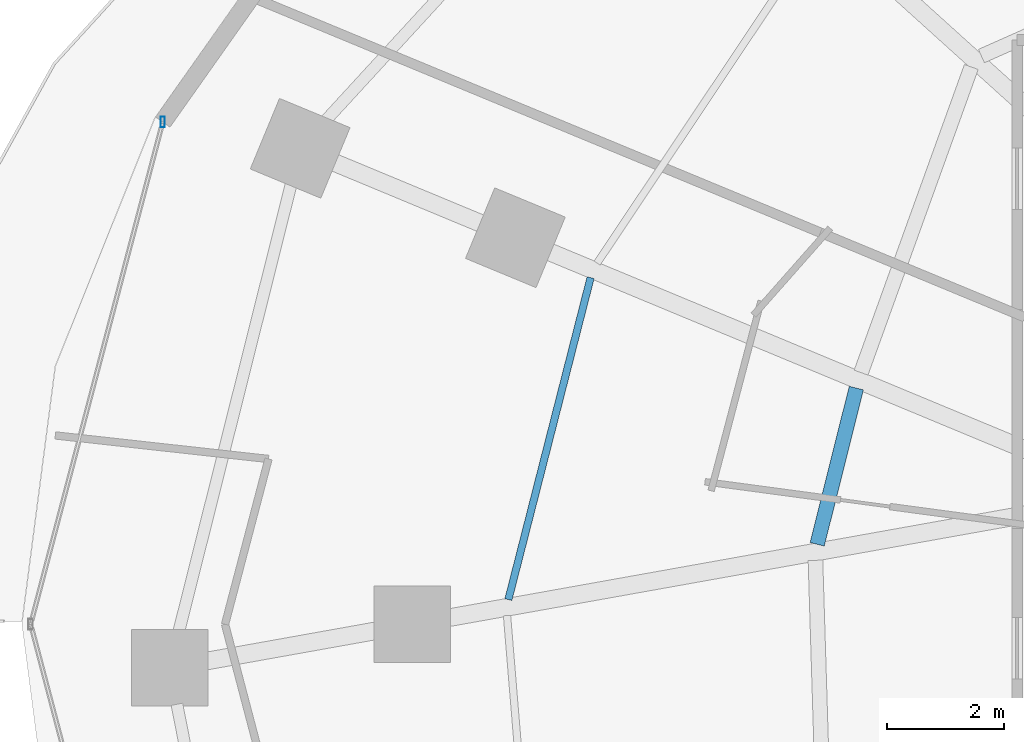
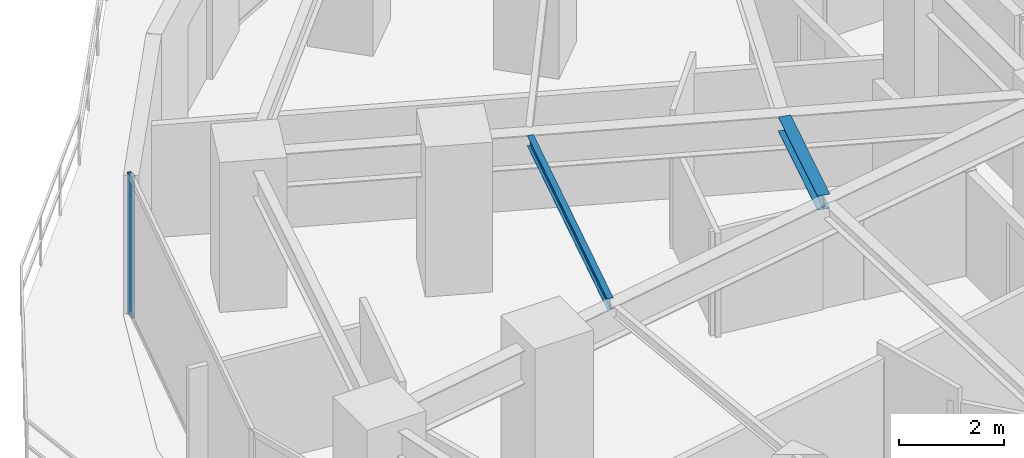
# One storey, part 10 of 35: 2 beams, 1 member, 1 element without a shape of its own.
"""IFC4 building model written with IfcOpenShell, lengths in metres."""

from ifc_helpers import new_model, si_unit, direction, frame, origin, origin_2d, place, context, subcontext, project, spatial, hollow_rectangle, i_section, extrude, material, material_profile, profile_set, type_object, element, aggregate, save


model = new_model("IFC4")

# Units and contexts
model_context = context("Model", 3, precision=1e-05, world=origin(), true_north=direction((0.0, 1.0)))
body_context = subcontext(model_context, "Body", "Model", "MODEL_VIEW")
ifc_project = project(units=[si_unit("LENGTHUNIT", "METRE"), si_unit("AREAUNIT", "SQUARE_METRE"), si_unit("VOLUMEUNIT", "CUBIC_METRE"), si_unit("PLANEANGLEUNIT", "RADIAN"), si_unit("MASSUNIT", "GRAM", prefix="KILO")], contexts=[model_context])

# Site, building, storey
site_placement = place(None, origin())
site = spatial("IfcSite", under=ifc_project, at=site_placement, CompositionType="ELEMENT")
building_placement = place(site_placement, origin())
building = spatial("IfcBuilding", under=site, at=building_placement, Name="Vorneva Point Tower", CompositionType="ELEMENT")
storey_placement = place(building_placement, frame((0.0, 0.0, 45.0)))
storey = spatial("IfcBuildingStorey", under=building, at=storey_placement, Name="L11", CompositionType="ELEMENT", Elevation=45.0)

# Beams
ifc_material_1 = material(Name="Steel S355", Category="steel")
ifc_material_profile_1 = material_profile(ifc_material_1, i_section(OverallWidth=0.1240234375, OverallDepth=0.248046875, WebThickness=0.0048828125, FlangeThickness=0.008056640625, at=origin_2d()), Name="25B1")
ifc_profile_set_1 = profile_set([ifc_material_profile_1], Name="Steel S355")
beam_type_1 = type_object("IfcBeamType", Name="BM-JST-25B1", PredefinedType="JOIST", material=ifc_profile_set_1)
beam_1_placement = place(storey_placement, frame((17.985595703125, 31.902099609375, 3.115966796875), z_axis=(-0.247537513429, -0.968878309926, 0.0), x_axis=(0.968878309926, -0.247537513429, 0.0)))
element("IfcBeam", 1, at=beam_1_placement, inside=storey, type_object=beam_type_1, Name="L11 Secondary Floor Beam 1.08", PredefinedType="JOIST", context=body_context, shape_type="SweptSolid", body=[
    extrude(i_section(OverallWidth=0.1240234375, OverallDepth=0.248046875, WebThickness=0.0048828125, FlangeThickness=0.008056640625, at=origin_2d()), origin(), (0.0, 0.0, 1.0), 5.658203125),
])
ifc_material_profile_2 = material_profile(ifc_material_1, i_section(OverallWidth=0.2490234375, OverallDepth=0.333984375, WebThickness=0.008056640625, FlangeThickness=0.010986328125, at=origin_2d()), Name="35Sh1")
ifc_profile_set_2 = profile_set([ifc_material_profile_2], Name="Steel S355")
beam_type_2 = type_object("IfcBeamType", Name="BM-SEC-35Sh1", PredefinedType="BEAM", material=ifc_profile_set_2)
beam_2_placement = place(storey_placement, frame((22.510986328125, 30.021484375, 3.072998046875), z_axis=(-0.243163850424, -0.969985227644, 0.0), x_axis=(0.969985227644, -0.243163850424, 0.0)))
element("IfcBeam", 2, at=beam_2_placement, inside=storey, type_object=beam_type_2, Name="L11 Secondary Floor Beam 2.08", PredefinedType="BEAM", context=body_context, shape_type="SweptSolid", body=[
    extrude(i_section(OverallWidth=0.2490234375, OverallDepth=0.333984375, WebThickness=0.008056640625, FlangeThickness=0.010986328125, at=origin_2d()), origin(), (0.0, 0.0, 1.0), 2.742919921875),
])

# Curtain wall, member
ifc_material_2 = material(Name="Pale anodised aluminium", Category="aluminium")
curtain_wall_type = type_object("IfcCurtainWallType", Name="CW-HTL-SYS", PredefinedType="NOTDEFINED", material=ifc_material_2)
curtain_wall_placement = place(storey_placement, origin())
curtain_wall = element("IfcCurtainWall", 3, at=curtain_wall_placement, inside=storey, type_object=curtain_wall_type, Name="L11 Unitised Curtain Wall CW-L11-R03", PredefinedType="NOTDEFINED")
ifc_material_profile_3 = material_profile(ifc_material_2, hollow_rectangle(XDim=0.074951171875, YDim=0.179931640625, WallThickness=0.00390625, at=origin_2d()), Name="AL-MUL 180x75x4")
ifc_profile_set_3 = profile_set([ifc_material_profile_3], Name="Pale anodised aluminium")
member_type = type_object("IfcMemberType", Name="CW-MUL-180", PredefinedType="MULLION", material=ifc_profile_set_3)
member_placement = place(storey_placement, frame((10.699462890625, 34.552978515625, -0.0400390625), z_axis=(0.0, 0.0, 1.0), x_axis=(1.0, 0.0, 0.0)))
member = element("IfcMember", 4, at=member_placement, type_object=member_type, Name="CW-L11-R03 Mullion 01", PredefinedType="MULLION", context=body_context, shape_type="SweptSolid", body=[
    extrude(hollow_rectangle(XDim=0.074951171875, YDim=0.179931640625, WallThickness=0.00390625, at=origin_2d()), origin(), (0.0, 0.0, 1.0), 3.31005859375),
])
aggregate(curtain_wall, [member])

save(model, "model.ifc")
